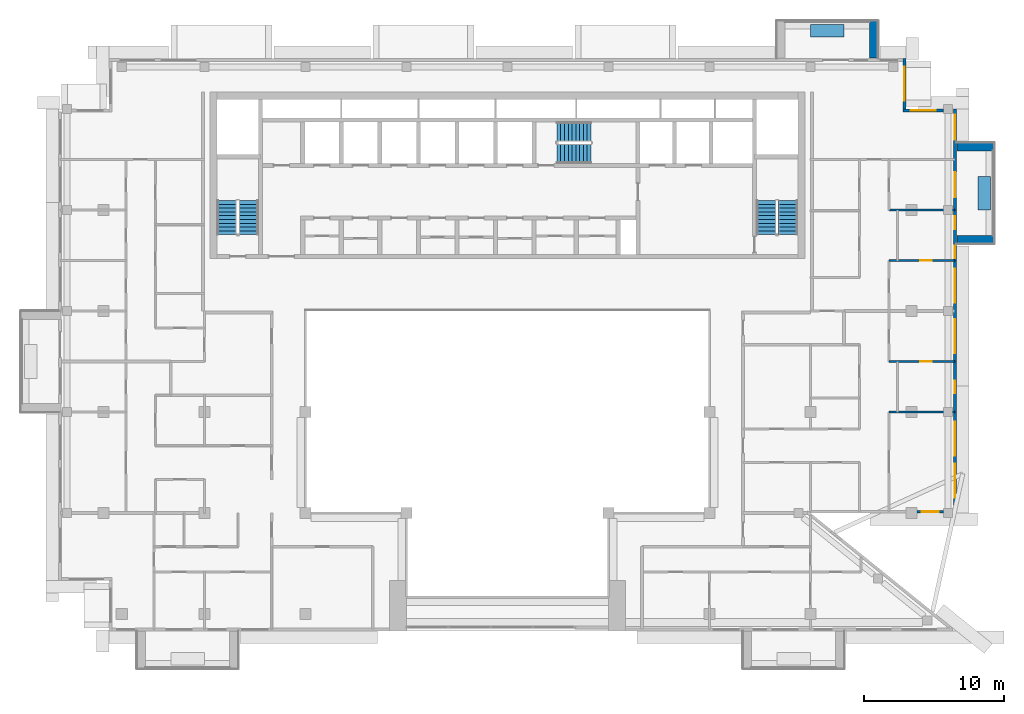
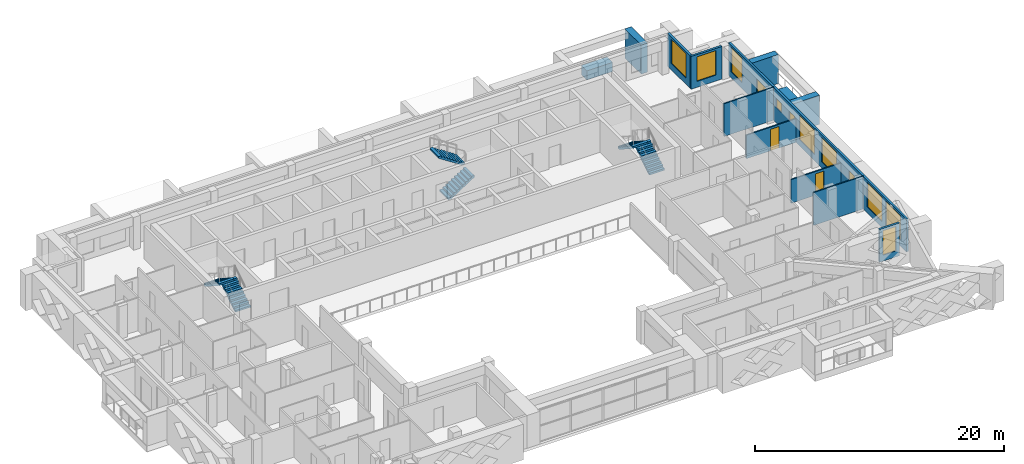
# One storey, part 12 of 19: 13 walls, 11 windows, 6 stair flights, 3 doors, 14 openings, 3 elements without a shape of their own.
"""IFC4 building model written with IfcOpenShell, lengths in metres."""

from ifc_helpers import new_model, si_unit, direction, frame, frame_2d, origin, place, context, subcontext, project, spatial, polyline, rectangle, outline, extrude, material, layer, layer_set, type_object, element, fill, aggregate, save


model = new_model("IFC4")

# Units and contexts
model_context = context("Model", 3, precision=1e-05, world=origin(), true_north=direction((0.0, 1.0)))
body_context = subcontext(model_context, "Body", "Model", "MODEL_VIEW")
ifc_project = project(units=[si_unit("LENGTHUNIT", "METRE"), si_unit("AREAUNIT", "SQUARE_METRE"), si_unit("VOLUMEUNIT", "CUBIC_METRE"), si_unit("PLANEANGLEUNIT", "RADIAN"), si_unit("MASSUNIT", "GRAM", prefix="KILO")], contexts=[model_context])

# Site, building, storey
site_placement = place(None, origin())
site = spatial("IfcSite", under=ifc_project, at=site_placement, CompositionType="ELEMENT")
building_placement = place(site_placement, origin())
building = spatial("IfcBuilding", under=site, at=building_placement, Name="Saffron Iwan Residences", CompositionType="ELEMENT")
storey_placement = place(building_placement, frame((0.0, 0.0, 236.0)))
storey = spatial("IfcBuildingStorey", under=building, at=storey_placement, Name="L63", CompositionType="ELEMENT", Elevation=236.0)

# Walls
ifc_material_1 = material(Name="Concrete C50/60 white painted", Category="concrete")
ifc_layer_1 = layer(ifc_material_1, 0.60009765625)
ifc_layer_set_1 = layer_set([ifc_layer_1], Name="Concrete C50/60 white painted")
wall_type_1 = type_object("IfcWallType", Name="BALCONY FIN 600", PredefinedType="SOLIDWALL", material=ifc_layer_set_1)
for number, where, z_axis, x_axis, name in (
    (1, (82.449951171875, 67.5, 0.0), (0.0, 0.0, 1.0), (1.0, 0.0, 0.0), "Balcony fin L63 F2-1a"),
    (2, (82.449951171875, 74.10009765625, 0.0), (0.0, 0.0, 1.0), (1.0, 0.0, 0.0), "Balcony fin L63 F2-1b"),
    (3, (76.5, 80.449951171875, 0.0), (0.0, 0.0, 1.0), (0.0, 1.0, 0.0), "Balcony fin L63 F5-0a"),
):
    element("IfcWall", number, at=place(storey_placement, frame(where, z_axis=z_axis, x_axis=x_axis)), inside=storey, type_object=wall_type_1, Name=name, PredefinedType="SOLIDWALL", context=body_context, shape_type="SweptSolid", body=[
        extrude(rectangle(XDim=2.650146484375, YDim=0.60009765625, at=frame_2d((1.3251953125, 0.0))), origin(), (0.0, 0.0, 1.0), 2.85009765625),
    ])
ifc_material_2 = material(Name="Concrete C35/45 white painted", Category="concrete")
ifc_layer_2 = layer(ifc_material_2, 0.14990234375)
ifc_layer_set_2 = layer_set([ifc_layer_2], Name="Concrete C35/45 white painted")
wall_type_2 = type_object("IfcWallType", Name="BALCONY PLANTER", PredefinedType="SOLIDWALL", material=ifc_layer_set_2)
for number, where, z_axis, x_axis, name in (
    (4, (84.375, 69.60009765625, 0.0), (0.0, 0.0, 1.0), (0.0, 1.0, 0.0), "PLANTER L63 F2-1"),
    (5, (74.39990234375, 82.375, 0.0), (0.0, 0.0, 1.0), (-1.0, 0.0, 0.0), "PLANTER L63 F5-0"),
):
    element("IfcWall", number, at=place(storey_placement, frame(where, z_axis=z_axis, x_axis=x_axis)), inside=storey, type_object=wall_type_2, Name=name, PredefinedType="SOLIDWALL", context=body_context, shape_type="SweptSolid", body=[
        extrude(rectangle(XDim=2.39990234375, YDim=0.89990234375, at=frame_2d((1.199951171875, 0.0))), origin(), (0.0, 0.0, 1.0), 0.89990234375),
    ])

# Wall, opening, window
ifc_material_3 = material(Name="Concrete C40/50", Category="concrete")
ifc_layer_3 = layer(ifc_material_3, 0.199951171875)
ifc_layer_set_3 = layer_set([ifc_layer_3], Name="Concrete C40/50")
wall_type_3 = type_object("IfcWallType", Name="EXTERNAL WALL 200", PredefinedType="SOLIDWALL", material=ifc_layer_set_3)
wall_1_placement = place(storey_placement, frame((79.60009765625, 48.10009765625, 0.0), z_axis=(0.0, 0.0, 1.0), x_axis=(1.0, 0.0, 0.0)))
wall_1 = element("IfcWall", 6, at=wall_1_placement, inside=storey, type_object=wall_type_3, Name="External wall L63 F1.1", PredefinedType="SOLIDWALL", context=body_context, shape_type="SweptSolid", body=[
    extrude(rectangle(XDim=1.875, YDim=0.199951171875, at=frame_2d((0.9375, 0.0))), origin(), (0.0, 0.0, 1.0), 3.219970703125),
])
opening_1_placement = place(wall_1_placement, frame((0.33740234375, 0.0, 0.60009765625)))
opening_1 = element("IfcOpeningElement", 7, at=opening_1_placement, cuts=wall_1, Name="Opening W3", PredefinedType="OPENING", context=body_context, shape_type="SweptSolid", body=[
    extrude(rectangle(XDim=1.199951171875, YDim=2.39990234375, at=frame_2d((0.60009765625, 1.199951171875))), frame((0.0, 0.10986328125, 0.0), z_axis=(0.0, -1.0, 0.0), x_axis=(1.0, 0.0, 0.0)), (0.0, 0.0, 1.0), 0.219970703125),
])
ifc_material_4 = material(Name="Clear glass, laminated double glazed", Category="glass")
window_type_1 = type_object("IfcWindowType", Name="WINDOW 1200 x 2400", PartitioningType="SINGLE_PANEL", PredefinedType="WINDOW", material=ifc_material_4)
window_1_placement = place(opening_1_placement, origin())
window_1 = element("IfcWindow", 8, at=window_1_placement, inside=storey, type_object=window_type_1, Name="Window L63 F1.0", OverallHeight=2.39990234375, OverallWidth=1.199951171875, PartitioningType="SINGLE_PANEL", PredefinedType="WINDOW", context=body_context, shape_type="SweptSolid", body=[
    extrude(rectangle(XDim=1.199951171875, YDim=2.39990234375, at=frame_2d((0.60009765625, 1.199951171875))), frame((0.0, 0.030029296875, 0.0), z_axis=(0.0, -1.0, 0.0), x_axis=(1.0, 0.0, 0.0)), (0.0, 0.0, 1.0), 0.06005859375),
])
fill(opening_1, window_1)

# Wall, openings, door, windows
wall_2_placement = place(storey_placement, frame((82.300048828125, 48.199951171875, 0.0), z_axis=(0.0, 0.0, 1.0), x_axis=(0.0, 1.0, 0.0)))
wall_2 = element("IfcWall", 9, at=wall_2_placement, inside=storey, type_object=wall_type_3, Name="External wall L63 F2.0", PredefinedType="SOLIDWALL", context=body_context, shape_type="SweptSolid", body=[
    extrude(rectangle(XDim=28.60009765625, YDim=0.199951171875, at=frame_2d((14.300048828125, 0.0))), origin(), (0.0, 0.0, 1.0), 3.219970703125),
])
opening_2_placement = place(wall_2_placement, frame((22.300048828125, 0.0, 0.0)))
opening_2 = element("IfcOpeningElement", 10, at=opening_2_placement, cuts=wall_2, Name="Opening BD1", PredefinedType="OPENING", context=body_context, shape_type="SweptSolid", body=[
    extrude(rectangle(XDim=1.800048828125, YDim=2.39990234375, at=frame_2d((0.89990234375, 1.199951171875))), frame((0.0, 0.10986328125, 0.0), z_axis=(0.0, -1.0, 0.0), x_axis=(1.0, 0.0, 0.0)), (0.0, 0.0, 1.0), 0.219970703125),
])
opening_3_placement = place(wall_2_placement, frame((0.89990234375, 0.0, 0.60009765625)))
opening_3 = element("IfcOpeningElement", 11, at=opening_3_placement, cuts=wall_2, Name="Opening W1", PredefinedType="OPENING", context=body_context, shape_type="SweptSolid", body=[
    extrude(rectangle(XDim=2.39990234375, YDim=2.39990234375, at=frame_2d((1.199951171875, 1.199951171875))), frame((0.0, 0.10986328125, 0.0), z_axis=(0.0, -1.0, 0.0), x_axis=(1.0, 0.0, 0.0)), (0.0, 0.0, 1.0), 0.219970703125),
])
opening_4_placement = place(wall_2_placement, frame((3.89990234375, 0.0, 0.60009765625)))
opening_4 = element("IfcOpeningElement", 12, at=opening_4_placement, cuts=wall_2, Name="Opening W1", PredefinedType="OPENING", context=body_context, shape_type="SweptSolid", body=[
    extrude(rectangle(XDim=2.39990234375, YDim=2.39990234375, at=frame_2d((1.199951171875, 1.199951171875))), frame((0.0, 0.10986328125, 0.0), z_axis=(0.0, -1.0, 0.0), x_axis=(1.0, 0.0, 0.0)), (0.0, 0.0, 1.0), 0.219970703125),
])
opening_5_placement = place(wall_2_placement, frame((11.199951171875, 0.0, 0.60009765625)))
opening_5 = element("IfcOpeningElement", 13, at=opening_5_placement, cuts=wall_2, Name="Opening W1", PredefinedType="OPENING", context=body_context, shape_type="SweptSolid", body=[
    extrude(rectangle(XDim=2.39990234375, YDim=2.39990234375, at=frame_2d((1.199951171875, 1.199951171875))), frame((0.0, 0.10986328125, 0.0), z_axis=(0.0, -1.0, 0.0), x_axis=(1.0, 0.0, 0.0)), (0.0, 0.0, 1.0), 0.219970703125),
])
opening_6_placement = place(wall_2_placement, frame((8.35009765625, 0.0, 1.5)))
opening_6 = element("IfcOpeningElement", 14, at=opening_6_placement, cuts=wall_2, Name="Opening W6", PredefinedType="OPENING", context=body_context, shape_type="SweptSolid", body=[
    extrude(rectangle(XDim=0.89990234375, YDim=0.89990234375, at=frame_2d((0.449951171875, 0.449951171875))), frame((0.0, 0.10986328125, 0.0), z_axis=(0.0, -1.0, 0.0), x_axis=(1.0, 0.0, 0.0)), (0.0, 0.0, 1.0), 0.219970703125),
])
opening_7_placement = place(wall_2_placement, frame((14.800048828125, 0.0, 0.60009765625)))
opening_7 = element("IfcOpeningElement", 15, at=opening_7_placement, cuts=wall_2, Name="Opening W1", PredefinedType="OPENING", context=body_context, shape_type="SweptSolid", body=[
    extrude(rectangle(XDim=2.39990234375, YDim=2.39990234375, at=frame_2d((1.199951171875, 1.199951171875))), frame((0.0, 0.10986328125, 0.0), z_axis=(0.0, -1.0, 0.0), x_axis=(1.0, 0.0, 0.0)), (0.0, 0.0, 1.0), 0.219970703125),
])
opening_8_placement = place(wall_2_placement, frame((17.949951171875, 0.0, 1.5)))
opening_8 = element("IfcOpeningElement", 16, at=opening_8_placement, cuts=wall_2, Name="Opening W6", PredefinedType="OPENING", context=body_context, shape_type="SweptSolid", body=[
    extrude(rectangle(XDim=0.89990234375, YDim=0.89990234375, at=frame_2d((0.449951171875, 0.449951171875))), frame((0.0, 0.10986328125, 0.0), z_axis=(0.0, -1.0, 0.0), x_axis=(1.0, 0.0, 0.0)), (0.0, 0.0, 1.0), 0.219970703125),
])
opening_9_placement = place(wall_2_placement, frame((20.050048828125, 0.0, 1.5)))
opening_9 = element("IfcOpeningElement", 17, at=opening_9_placement, cuts=wall_2, Name="Opening W6", PredefinedType="OPENING", context=body_context, shape_type="SweptSolid", body=[
    extrude(rectangle(XDim=0.89990234375, YDim=0.89990234375, at=frame_2d((0.449951171875, 0.449951171875))), frame((0.0, 0.10986328125, 0.0), z_axis=(0.0, -1.0, 0.0), x_axis=(1.0, 0.0, 0.0)), (0.0, 0.0, 1.0), 0.219970703125),
])
opening_10_placement = place(wall_2_placement, frame((26.39990234375, 0.0, 0.60009765625)))
opening_10 = element("IfcOpeningElement", 18, at=opening_10_placement, cuts=wall_2, Name="Opening W8", PredefinedType="OPENING", context=body_context, shape_type="SweptSolid", body=[
    extrude(rectangle(XDim=1.800048828125, YDim=2.39990234375, at=frame_2d((0.89990234375, 1.199951171875))), frame((0.0, 0.10986328125, 0.0), z_axis=(0.0, -1.0, 0.0), x_axis=(1.0, 0.0, 0.0)), (0.0, 0.0, 1.0), 0.219970703125),
])
door_type_1 = type_object("IfcDoorType", Name="BALCONY DOOR 1800 x 2400", OperationType="DOUBLE_DOOR_SLIDING", PredefinedType="DOOR", material=ifc_material_4)
door_1_placement = place(opening_2_placement, origin())
door_1 = element("IfcDoor", 19, at=door_1_placement, inside=storey, type_object=door_type_1, Name="Balcony door L63 F2.0", OperationType="DOUBLE_DOOR_SLIDING", OverallHeight=2.39990234375, OverallWidth=1.800048828125, PredefinedType="DOOR", context=body_context, shape_type="SweptSolid", body=[
    extrude(rectangle(XDim=1.800048828125, YDim=2.39990234375, at=frame_2d((0.89990234375, 1.199951171875))), frame((0.0, 0.02490234375, 0.0), z_axis=(0.0, -1.0, 0.0), x_axis=(1.0, 0.0, 0.0)), (0.0, 0.0, 1.0), 0.050048828125),
])
fill(opening_2, door_1)
window_type_2 = type_object("IfcWindowType", Name="WINDOW 1800 x 2400", PartitioningType="DOUBLE_PANEL_VERTICAL", PredefinedType="WINDOW", material=ifc_material_4)
window_2_placement = place(opening_10_placement, origin())
window_2 = element("IfcWindow", 20, at=window_2_placement, inside=storey, type_object=window_type_2, Name="Window L63 F2.8", OverallHeight=2.39990234375, OverallWidth=1.800048828125, PartitioningType="DOUBLE_PANEL_VERTICAL", PredefinedType="WINDOW", context=body_context, shape_type="SweptSolid", body=[
    extrude(rectangle(XDim=1.800048828125, YDim=2.39990234375, at=frame_2d((0.89990234375, 1.199951171875))), frame((0.0, 0.030029296875, 0.0), z_axis=(0.0, -1.0, 0.0), x_axis=(1.0, 0.0, 0.0)), (0.0, 0.0, 1.0), 0.06005859375),
])
fill(opening_10, window_2)
window_type_3 = type_object("IfcWindowType", Name="WINDOW 2400 x 2400", PartitioningType="DOUBLE_PANEL_VERTICAL", PredefinedType="WINDOW", material=ifc_material_4)
window_3_placement = place(opening_3_placement, origin())
window_3 = element("IfcWindow", 21, at=window_3_placement, inside=storey, type_object=window_type_3, Name="Window L63 F2.1", OverallHeight=2.39990234375, OverallWidth=2.39990234375, PartitioningType="DOUBLE_PANEL_VERTICAL", PredefinedType="WINDOW", context=body_context, shape_type="SweptSolid", body=[
    extrude(rectangle(XDim=2.39990234375, YDim=2.39990234375, at=frame_2d((1.199951171875, 1.199951171875))), frame((0.0, 0.030029296875, 0.0), z_axis=(0.0, -1.0, 0.0), x_axis=(1.0, 0.0, 0.0)), (0.0, 0.0, 1.0), 0.06005859375),
])
fill(opening_3, window_3)
window_4_placement = place(opening_4_placement, origin())
window_4 = element("IfcWindow", 22, at=window_4_placement, inside=storey, type_object=window_type_3, Name="Window L63 F2.2", OverallHeight=2.39990234375, OverallWidth=2.39990234375, PartitioningType="DOUBLE_PANEL_VERTICAL", PredefinedType="WINDOW", context=body_context, shape_type="SweptSolid", body=[
    extrude(rectangle(XDim=2.39990234375, YDim=2.39990234375, at=frame_2d((1.199951171875, 1.199951171875))), frame((0.0, 0.030029296875, 0.0), z_axis=(0.0, -1.0, 0.0), x_axis=(1.0, 0.0, 0.0)), (0.0, 0.0, 1.0), 0.06005859375),
])
fill(opening_4, window_4)
window_5_placement = place(opening_5_placement, origin())
window_5 = element("IfcWindow", 23, at=window_5_placement, inside=storey, type_object=window_type_3, Name="Window L63 F2.3", OverallHeight=2.39990234375, OverallWidth=2.39990234375, PartitioningType="DOUBLE_PANEL_VERTICAL", PredefinedType="WINDOW", context=body_context, shape_type="SweptSolid", body=[
    extrude(rectangle(XDim=2.39990234375, YDim=2.39990234375, at=frame_2d((1.199951171875, 1.199951171875))), frame((0.0, 0.030029296875, 0.0), z_axis=(0.0, -1.0, 0.0), x_axis=(1.0, 0.0, 0.0)), (0.0, 0.0, 1.0), 0.06005859375),
])
fill(opening_5, window_5)
window_6_placement = place(opening_7_placement, origin())
window_6 = element("IfcWindow", 24, at=window_6_placement, inside=storey, type_object=window_type_3, Name="Window L63 F2.5", OverallHeight=2.39990234375, OverallWidth=2.39990234375, PartitioningType="DOUBLE_PANEL_VERTICAL", PredefinedType="WINDOW", context=body_context, shape_type="SweptSolid", body=[
    extrude(rectangle(XDim=2.39990234375, YDim=2.39990234375, at=frame_2d((1.199951171875, 1.199951171875))), frame((0.0, 0.030029296875, 0.0), z_axis=(0.0, -1.0, 0.0), x_axis=(1.0, 0.0, 0.0)), (0.0, 0.0, 1.0), 0.06005859375),
])
fill(opening_7, window_6)
window_type_4 = type_object("IfcWindowType", Name="WINDOW 900 x 900 BATH", PartitioningType="SINGLE_PANEL", PredefinedType="WINDOW", material=ifc_material_4)
window_7_placement = place(opening_6_placement, origin())
window_7 = element("IfcWindow", 25, at=window_7_placement, inside=storey, type_object=window_type_4, Name="Window L63 F2.4", OverallHeight=0.89990234375, OverallWidth=0.89990234375, PartitioningType="SINGLE_PANEL", PredefinedType="WINDOW", context=body_context, shape_type="SweptSolid", body=[
    extrude(rectangle(XDim=0.89990234375, YDim=0.89990234375, at=frame_2d((0.449951171875, 0.449951171875))), frame((0.0, 0.030029296875, 0.0), z_axis=(0.0, -1.0, 0.0), x_axis=(1.0, 0.0, 0.0)), (0.0, 0.0, 1.0), 0.06005859375),
])
fill(opening_6, window_7)
window_8_placement = place(opening_8_placement, origin())
window_8 = element("IfcWindow", 26, at=window_8_placement, inside=storey, type_object=window_type_4, Name="Window L63 F2.6", OverallHeight=0.89990234375, OverallWidth=0.89990234375, PartitioningType="SINGLE_PANEL", PredefinedType="WINDOW", context=body_context, shape_type="SweptSolid", body=[
    extrude(rectangle(XDim=0.89990234375, YDim=0.89990234375, at=frame_2d((0.449951171875, 0.449951171875))), frame((0.0, 0.030029296875, 0.0), z_axis=(0.0, -1.0, 0.0), x_axis=(1.0, 0.0, 0.0)), (0.0, 0.0, 1.0), 0.06005859375),
])
fill(opening_8, window_8)
window_9_placement = place(opening_9_placement, origin())
window_9 = element("IfcWindow", 27, at=window_9_placement, inside=storey, type_object=window_type_4, Name="Window L63 F2.7", OverallHeight=0.89990234375, OverallWidth=0.89990234375, PartitioningType="SINGLE_PANEL", PredefinedType="WINDOW", context=body_context, shape_type="SweptSolid", body=[
    extrude(rectangle(XDim=0.89990234375, YDim=0.89990234375, at=frame_2d((0.449951171875, 0.449951171875))), frame((0.0, 0.030029296875, 0.0), z_axis=(0.0, -1.0, 0.0), x_axis=(1.0, 0.0, 0.0)), (0.0, 0.0, 1.0), 0.06005859375),
])
fill(opening_9, window_9)

# Wall, opening, window
wall_3_placement = place(storey_placement, frame((81.47509765625, 76.699951171875, 0.0), z_axis=(0.0, 0.0, 1.0), x_axis=(-1.0, 0.0, 0.0)))
wall_3 = element("IfcWall", 28, at=wall_3_placement, inside=storey, type_object=wall_type_3, Name="External wall L63 F3.0", PredefinedType="SOLIDWALL", context=body_context, shape_type="SweptSolid", body=[
    extrude(rectangle(XDim=2.875, YDim=0.199951171875, at=frame_2d((1.4375, 0.0))), origin(), (0.0, 0.0, 1.0), 3.219970703125),
])
opening_11_placement = place(wall_3_placement, frame((0.53759765625, 0.0, 0.60009765625)))
opening_11 = element("IfcOpeningElement", 29, at=opening_11_placement, cuts=wall_3, Name="Opening W8", PredefinedType="OPENING", context=body_context, shape_type="SweptSolid", body=[
    extrude(rectangle(XDim=1.800048828125, YDim=2.39990234375, at=frame_2d((0.89990234375, 1.199951171875))), frame((0.0, 0.10986328125, 0.0), z_axis=(0.0, -1.0, 0.0), x_axis=(1.0, 0.0, 0.0)), (0.0, 0.0, 1.0), 0.219970703125),
])
window_10_placement = place(opening_11_placement, origin())
window_10 = element("IfcWindow", 30, at=window_10_placement, inside=storey, type_object=window_type_2, Name="Window L63 F3.0", OverallHeight=2.39990234375, OverallWidth=1.800048828125, PartitioningType="DOUBLE_PANEL_VERTICAL", PredefinedType="WINDOW", context=body_context, shape_type="SweptSolid", body=[
    extrude(rectangle(XDim=1.800048828125, YDim=2.39990234375, at=frame_2d((0.89990234375, 1.199951171875))), frame((0.0, 0.030029296875, 0.0), z_axis=(0.0, -1.0, 0.0), x_axis=(1.0, 0.0, 0.0)), (0.0, 0.0, 1.0), 0.06005859375),
])
fill(opening_11, window_10)

wall_4_placement = place(storey_placement, frame((78.699951171875, 76.800048828125, 0.0), z_axis=(0.0, 0.0, 1.0), x_axis=(0.0, 1.0, 0.0)))
wall_4 = element("IfcWall", 31, at=wall_4_placement, inside=storey, type_object=wall_type_3, Name="External wall L63 F4.0", PredefinedType="SOLIDWALL", context=body_context, shape_type="SweptSolid", body=[
    extrude(rectangle(XDim=3.599853515625, YDim=0.199951171875, at=frame_2d((1.7998046875, 0.0))), origin(), (0.0, 0.0, 1.0), 3.219970703125),
])
opening_12_placement = place(wall_4_placement, frame((0.60009765625, 0.0, 0.60009765625)))
opening_12 = element("IfcOpeningElement", 32, at=opening_12_placement, cuts=wall_4, Name="Opening W1", PredefinedType="OPENING", context=body_context, shape_type="SweptSolid", body=[
    extrude(rectangle(XDim=2.39990234375, YDim=2.39990234375, at=frame_2d((1.199951171875, 1.199951171875))), frame((0.0, 0.10986328125, 0.0), z_axis=(0.0, -1.0, 0.0), x_axis=(1.0, 0.0, 0.0)), (0.0, 0.0, 1.0), 0.219970703125),
])
window_11_placement = place(opening_12_placement, origin())
window_11 = element("IfcWindow", 33, at=window_11_placement, inside=storey, type_object=window_type_3, Name="Window L63 F4.0", OverallHeight=2.39990234375, OverallWidth=2.39990234375, PartitioningType="DOUBLE_PANEL_VERTICAL", PredefinedType="WINDOW", context=body_context, shape_type="SweptSolid", body=[
    extrude(rectangle(XDim=2.39990234375, YDim=2.39990234375, at=frame_2d((1.199951171875, 1.199951171875))), frame((0.0, 0.030029296875, 0.0), z_axis=(0.0, -1.0, 0.0), x_axis=(1.0, 0.0, 0.0)), (0.0, 0.0, 1.0), 0.06005859375),
])
fill(opening_12, window_11)

# Wall
ifc_material_5 = material(Name="Gypsum board partition")
ifc_layer_4 = layer(ifc_material_5, 0.1201171875)
ifc_layer_set_4 = layer_set([ifc_layer_4], Name="Gypsum board partition")
wall_type_4 = type_object("IfcWallType", Name="Flat partition 120", PredefinedType="PARTITIONING", material=ifc_layer_set_4)
wall_5_placement = place(storey_placement, frame((77.60009765625, 55.199951171875, 0.0), z_axis=(0.0, 0.0, 1.0), x_axis=(1.0, 0.0, 0.0)))
element("IfcWall", 34, at=wall_5_placement, inside=storey, type_object=wall_type_4, Name="W-L63-PART-h55.2-77.6", PredefinedType="PARTITIONING", context=body_context, shape_type="SweptSolid", body=[
    extrude(rectangle(XDim=4.6748046875, YDim=0.1201171875, at=frame_2d((2.33740234375, 0.0))), origin(), (0.0, 0.0, 1.0), 3.219970703125),
])

# Wall, opening, door
wall_6_placement = place(storey_placement, frame((77.60009765625, 58.800048828125, 0.0), z_axis=(0.0, 0.0, 1.0), x_axis=(1.0, 0.0, 0.0)))
wall_6 = element("IfcWall", 35, at=wall_6_placement, inside=storey, type_object=wall_type_4, Name="W-L63-PART-h58.8-77.6", PredefinedType="PARTITIONING", context=body_context, shape_type="SweptSolid", body=[
    extrude(rectangle(XDim=4.6748046875, YDim=0.1201171875, at=frame_2d((2.33740234375, 0.0))), origin(), (0.0, 0.0, 1.0), 2.320068359375),
])
opening_13_placement = place(wall_6_placement, frame((2.237548828125, 0.0, 0.0)))
opening_13 = element("IfcOpeningElement", 36, at=opening_13_placement, cuts=wall_6, Name="Opening FD3", PredefinedType="OPENING", context=body_context, shape_type="SweptSolid", body=[
    extrude(rectangle(XDim=0.800048828125, YDim=2.10009765625, at=frame_2d((0.39990234375, 1.050048828125))), frame((0.0, 0.070068359375, 0.0), z_axis=(0.0, -1.0, 0.0), x_axis=(1.0, 0.0, 0.0)), (0.0, 0.0, 1.0), 0.14013671875),
])
ifc_material_6 = material(Name="Timber door", Category="wood")
door_type_2 = type_object("IfcDoorType", Name="Bathroom door 800", OperationType="NOTDEFINED", PredefinedType="DOOR", material=ifc_material_6)
door_2_placement = place(opening_13_placement, origin())
door_2 = element("IfcDoor", 37, at=door_2_placement, inside=storey, type_object=door_type_2, Name="Door L63-017", OperationType="SINGLE_SWING_LEFT", OverallHeight=2.10009765625, OverallWidth=0.800048828125, PredefinedType="DOOR", context=body_context, shape_type="SweptSolid", body=[
    extrude(rectangle(XDim=0.800048828125, YDim=2.10009765625, at=frame_2d((0.39990234375, 1.050048828125))), frame((0.0, 0.02490234375, 0.0), z_axis=(0.0, -1.0, 0.0), x_axis=(1.0, 0.0, 0.0)), (0.0, 0.0, 1.0), 0.050048828125),
])
fill(opening_13, door_2)

wall_7_placement = place(storey_placement, frame((77.60009765625, 66.0, 0.0), z_axis=(0.0, 0.0, 1.0), x_axis=(1.0, 0.0, 0.0)))
wall_7 = element("IfcWall", 38, at=wall_7_placement, inside=storey, type_object=wall_type_4, Name="W-L63-PART-h66-77.6", PredefinedType="PARTITIONING", context=body_context, shape_type="SweptSolid", body=[
    extrude(rectangle(XDim=4.6748046875, YDim=0.1201171875, at=frame_2d((2.33740234375, 0.0))), origin(), (0.0, 0.0, 1.0), 2.320068359375),
])
opening_14_placement = place(wall_7_placement, frame((2.237548828125, 0.0, 0.0)))
opening_14 = element("IfcOpeningElement", 39, at=opening_14_placement, cuts=wall_7, Name="Opening FD3", PredefinedType="OPENING", context=body_context, shape_type="SweptSolid", body=[
    extrude(rectangle(XDim=0.800048828125, YDim=2.10009765625, at=frame_2d((0.39990234375, 1.050048828125))), frame((0.0, 0.070068359375, 0.0), z_axis=(0.0, -1.0, 0.0), x_axis=(1.0, 0.0, 0.0)), (0.0, 0.0, 1.0), 0.14013671875),
])
door_3_placement = place(opening_14_placement, origin())
door_3 = element("IfcDoor", 40, at=door_3_placement, inside=storey, type_object=door_type_2, Name="Door L63-036", OperationType="SINGLE_SWING_LEFT", OverallHeight=2.10009765625, OverallWidth=0.800048828125, PredefinedType="DOOR", context=body_context, shape_type="SweptSolid", body=[
    extrude(rectangle(XDim=0.800048828125, YDim=2.10009765625, at=frame_2d((0.39990234375, 1.050048828125))), frame((0.0, 0.02490234375, 0.0), z_axis=(0.0, -1.0, 0.0), x_axis=(1.0, 0.0, 0.0)), (0.0, 0.0, 1.0), 0.050048828125),
])
fill(opening_14, door_3)

# Wall
wall_8_placement = place(storey_placement, frame((77.60009765625, 69.60009765625, 0.0), z_axis=(0.0, 0.0, 1.0), x_axis=(1.0, 0.0, 0.0)))
element("IfcWall", 41, at=wall_8_placement, inside=storey, type_object=wall_type_4, Name="W-L63-PART-h69.6-77.6", PredefinedType="PARTITIONING", context=body_context, shape_type="SweptSolid", body=[
    extrude(rectangle(XDim=4.6748046875, YDim=0.1201171875, at=frame_2d((2.33740234375, 0.0))), origin(), (0.0, 0.0, 1.0), 3.219970703125),
])

# Stair, stair flights
ifc_material_7 = material(Name="Concrete C50/60", Category="concrete")
stair_type = type_object("IfcStairType", Name="Stair ST-CORE", PredefinedType="HALF_TURN_STAIR", material=ifc_material_7)
stair_1_placement = place(storey_placement, origin())
stair_1 = element("IfcStair", 42, at=stair_1_placement, inside=storey, type_object=stair_type, Name="L63 Exit Stair ST-W", PredefinedType="HALF_TURN_STAIR")
ifc_layer_5 = layer(ifc_material_7, 0.14990234375)
ifc_layer_set_5 = layer_set([ifc_layer_5], Name="Concrete C50/60")
stair_flight_type = type_object("IfcStairFlightType", Name="Stair flight SFL-RC", PredefinedType="STRAIGHT", material=ifc_layer_set_5)
stair_flight_1_placement = place(storey_placement, frame((31.949951171875, 67.85009765625, 0.0), z_axis=(0.0, 0.0, 1.0), x_axis=(0.0, 1.0, 0.0)))
stair_flight_1 = element("IfcStairFlight", 43, at=stair_flight_1_placement, type_object=stair_flight_type, Name="ST-W flight 1", NumberOfRisers=10, NumberOfTreads=9, PredefinedType="STRAIGHT", RiserHeight=0.175, TreadLength=0.27, context=body_context, shape_type="SweptSolid", body=[
    extrude(outline(polyline([(0.0, 0.0), (0.0, 0.175048828125), (0.27001953125, 0.175048828125), (0.27001953125, 0.35009765625), (0.5400390625, 0.35009765625), (0.5400390625, 0.52490234375), (0.81005859375, 0.52490234375), (0.81005859375, 0.699951171875), (1.080078125, 0.699951171875), (1.080078125, 0.875), (1.35009765625, 0.875), (1.35009765625, 1.050048828125), (1.6201171875, 1.050048828125), (1.6201171875, 1.22509765625), (1.889892578125, 1.22509765625), (1.889892578125, 1.39990234375), (2.159912109375, 1.39990234375), (2.159912109375, 1.574951171875), (2.429931640625, 1.574951171875), (2.429931640625, 1.75), (2.429931640625, 1.396484375), (0.275634765625, 0.0), (0.0, 0.0)])), frame((0.0, 0.699951171875, 0.0), z_axis=(0.0, -1.0, 0.0), x_axis=(1.0, 0.0, 0.0)), (0.0, 0.0, 1.0), 1.39990234375),
])
stair_flight_2_placement = place(storey_placement, frame((30.39990234375, 70.280029296875, 1.75), z_axis=(0.0, 0.0, 1.0), x_axis=(0.0, -1.0, 0.0)))
stair_flight_2 = element("IfcStairFlight", 44, at=stair_flight_2_placement, type_object=stair_flight_type, Name="ST-W flight 2", NumberOfRisers=10, NumberOfTreads=9, PredefinedType="STRAIGHT", RiserHeight=0.175, TreadLength=0.27, context=body_context, shape_type="SweptSolid", body=[
    extrude(outline(polyline([(0.0, 0.0), (0.0, 0.175048828125), (0.27001953125, 0.175048828125), (0.27001953125, 0.35009765625), (0.5400390625, 0.35009765625), (0.5400390625, 0.52490234375), (0.81005859375, 0.52490234375), (0.81005859375, 0.699951171875), (1.080078125, 0.699951171875), (1.080078125, 0.875), (1.35009765625, 0.875), (1.35009765625, 1.050048828125), (1.6201171875, 1.050048828125), (1.6201171875, 1.22509765625), (1.889892578125, 1.22509765625), (1.889892578125, 1.39990234375), (2.159912109375, 1.39990234375), (2.159912109375, 1.574951171875), (2.429931640625, 1.574951171875), (2.429931640625, 1.75), (2.429931640625, 1.396484375), (0.275634765625, 0.0), (0.0, 0.0)])), frame((0.0, 0.699951171875, 0.0), z_axis=(0.0, -1.0, 0.0), x_axis=(1.0, 0.0, 0.0)), (0.0, 0.0, 1.0), 1.39990234375),
])
aggregate(stair_1, [stair_flight_1, stair_flight_2])

stair_2_placement = place(storey_placement, origin())
stair_2 = element("IfcStair", 45, at=stair_2_placement, inside=storey, type_object=stair_type, Name="L63 Exit Stair ST-C", PredefinedType="HALF_TURN_STAIR")
stair_flight_3_placement = place(storey_placement, frame((53.925048828125, 73.625, 0.0), z_axis=(0.0, 0.0, 1.0), x_axis=(1.0, 0.0, 0.0)))
stair_flight_3 = element("IfcStairFlight", 46, at=stair_flight_3_placement, type_object=stair_flight_type, Name="ST-C flight 1", NumberOfRisers=10, NumberOfTreads=9, PredefinedType="STRAIGHT", RiserHeight=0.175, TreadLength=0.27, context=body_context, shape_type="SweptSolid", body=[
    extrude(outline(polyline([(0.0, 0.0), (0.0, 0.175048828125), (0.27001953125, 0.175048828125), (0.27001953125, 0.35009765625), (0.5400390625, 0.35009765625), (0.5400390625, 0.52490234375), (0.81005859375, 0.52490234375), (0.81005859375, 0.699951171875), (1.080078125, 0.699951171875), (1.080078125, 0.875), (1.35009765625, 0.875), (1.35009765625, 1.050048828125), (1.6201171875, 1.050048828125), (1.6201171875, 1.22509765625), (1.889892578125, 1.22509765625), (1.889892578125, 1.39990234375), (2.159912109375, 1.39990234375), (2.159912109375, 1.574951171875), (2.429931640625, 1.574951171875), (2.429931640625, 1.75), (2.429931640625, 1.396484375), (0.275634765625, 0.0), (0.0, 0.0)])), frame((0.0, 0.699951171875, 0.0), z_axis=(0.0, -1.0, 0.0), x_axis=(1.0, 0.0, 0.0)), (0.0, 0.0, 1.0), 1.39990234375),
])
stair_flight_4_placement = place(storey_placement, frame((56.35498046875, 75.175048828125, 1.75), z_axis=(0.0, 0.0, 1.0), x_axis=(-1.0, 0.0, 0.0)))
stair_flight_4 = element("IfcStairFlight", 47, at=stair_flight_4_placement, type_object=stair_flight_type, Name="ST-C flight 2", NumberOfRisers=10, NumberOfTreads=9, PredefinedType="STRAIGHT", RiserHeight=0.175, TreadLength=0.27, context=body_context, shape_type="SweptSolid", body=[
    extrude(outline(polyline([(0.0, 0.0), (0.0, 0.175048828125), (0.27001953125, 0.175048828125), (0.27001953125, 0.35009765625), (0.5400390625, 0.35009765625), (0.5400390625, 0.52490234375), (0.81005859375, 0.52490234375), (0.81005859375, 0.699951171875), (1.080078125, 0.699951171875), (1.080078125, 0.875), (1.35009765625, 0.875), (1.35009765625, 1.050048828125), (1.6201171875, 1.050048828125), (1.6201171875, 1.22509765625), (1.889892578125, 1.22509765625), (1.889892578125, 1.39990234375), (2.159912109375, 1.39990234375), (2.159912109375, 1.574951171875), (2.429931640625, 1.574951171875), (2.429931640625, 1.75), (2.429931640625, 1.396484375), (0.275634765625, 0.0), (0.0, 0.0)])), frame((0.0, 0.699951171875, 0.0), z_axis=(0.0, -1.0, 0.0), x_axis=(1.0, 0.0, 0.0)), (0.0, 0.0, 1.0), 1.39990234375),
])
aggregate(stair_2, [stair_flight_3, stair_flight_4])

stair_3_placement = place(storey_placement, origin())
stair_3 = element("IfcStair", 48, at=stair_3_placement, inside=storey, type_object=stair_type, Name="L63 Exit Stair ST-E", PredefinedType="HALF_TURN_STAIR")
stair_flight_5_placement = place(storey_placement, frame((70.39990234375, 67.85009765625, 0.0), z_axis=(0.0, 0.0, 1.0), x_axis=(0.0, 1.0, 0.0)))
stair_flight_5 = element("IfcStairFlight", 49, at=stair_flight_5_placement, type_object=stair_flight_type, Name="ST-E flight 1", NumberOfRisers=10, NumberOfTreads=9, PredefinedType="STRAIGHT", RiserHeight=0.175, TreadLength=0.27, context=body_context, shape_type="SweptSolid", body=[
    extrude(outline(polyline([(0.0, 0.0), (0.0, 0.175048828125), (0.27001953125, 0.175048828125), (0.27001953125, 0.35009765625), (0.5400390625, 0.35009765625), (0.5400390625, 0.52490234375), (0.81005859375, 0.52490234375), (0.81005859375, 0.699951171875), (1.080078125, 0.699951171875), (1.080078125, 0.875), (1.35009765625, 0.875), (1.35009765625, 1.050048828125), (1.6201171875, 1.050048828125), (1.6201171875, 1.22509765625), (1.889892578125, 1.22509765625), (1.889892578125, 1.39990234375), (2.159912109375, 1.39990234375), (2.159912109375, 1.574951171875), (2.429931640625, 1.574951171875), (2.429931640625, 1.75), (2.429931640625, 1.396484375), (0.275634765625, 0.0), (0.0, 0.0)])), frame((0.0, 0.699951171875, 0.0), z_axis=(0.0, -1.0, 0.0), x_axis=(1.0, 0.0, 0.0)), (0.0, 0.0, 1.0), 1.39990234375),
])
stair_flight_6_placement = place(storey_placement, frame((68.85009765625, 70.280029296875, 1.75), z_axis=(0.0, 0.0, 1.0), x_axis=(0.0, -1.0, 0.0)))
stair_flight_6 = element("IfcStairFlight", 50, at=stair_flight_6_placement, type_object=stair_flight_type, Name="ST-E flight 2", NumberOfRisers=10, NumberOfTreads=9, PredefinedType="STRAIGHT", RiserHeight=0.175, TreadLength=0.27, context=body_context, shape_type="SweptSolid", body=[
    extrude(outline(polyline([(0.0, 0.0), (0.0, 0.175048828125), (0.27001953125, 0.175048828125), (0.27001953125, 0.35009765625), (0.5400390625, 0.35009765625), (0.5400390625, 0.52490234375), (0.81005859375, 0.52490234375), (0.81005859375, 0.699951171875), (1.080078125, 0.699951171875), (1.080078125, 0.875), (1.35009765625, 0.875), (1.35009765625, 1.050048828125), (1.6201171875, 1.050048828125), (1.6201171875, 1.22509765625), (1.889892578125, 1.22509765625), (1.889892578125, 1.39990234375), (2.159912109375, 1.39990234375), (2.159912109375, 1.574951171875), (2.429931640625, 1.574951171875), (2.429931640625, 1.75), (2.429931640625, 1.396484375), (0.275634765625, 0.0), (0.0, 0.0)])), frame((0.0, 0.699951171875, 0.0), z_axis=(0.0, -1.0, 0.0), x_axis=(1.0, 0.0, 0.0)), (0.0, 0.0, 1.0), 1.39990234375),
])
aggregate(stair_3, [stair_flight_5, stair_flight_6])

save(model, "model.ifc")
